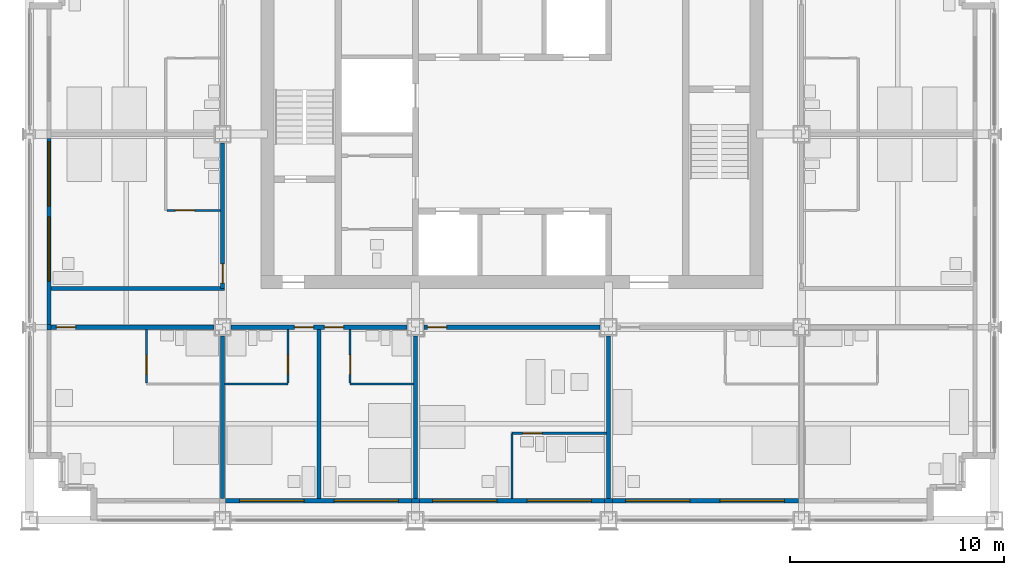
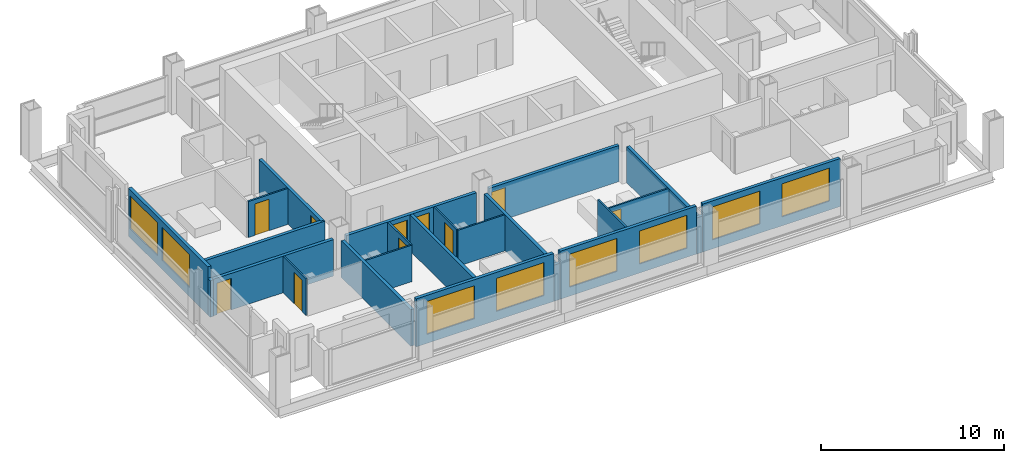
# One storey, part 7 of 13: 24 walls, 10 doors, 8 windows, 18 openings.
"""IFC4 building model written with IfcOpenShell, lengths in metres."""

from ifc_helpers import new_model, si_unit, direction, frame, frame_2d, origin, place, context, subcontext, project, spatial, rectangle, extrude, material, layer, layer_set, type_object, element, fill, save


model = new_model("IFC4")

# Units and contexts
model_context = context("Model", 3, precision=1e-05, world=origin(), true_north=direction((0.0, 1.0)))
body_context = subcontext(model_context, "Body", "Model", "MODEL_VIEW")
ifc_project = project(units=[si_unit("LENGTHUNIT", "METRE"), si_unit("AREAUNIT", "SQUARE_METRE"), si_unit("VOLUMEUNIT", "CUBIC_METRE"), si_unit("PLANEANGLEUNIT", "RADIAN"), si_unit("MASSUNIT", "GRAM", prefix="KILO")], contexts=[model_context])

# Site, building, storey
site_placement = place(None, origin())
site = spatial("IfcSite", under=ifc_project, at=site_placement, CompositionType="ELEMENT")
building_placement = place(site_placement, origin())
building = spatial("IfcBuilding", under=site, at=building_placement, Name="Loomwork Tower", CompositionType="ELEMENT")
storey_placement = place(building_placement, frame((0.0, 0.0, 191.0)))
storey = spatial("IfcBuildingStorey", under=building, at=storey_placement, Name="L52", CompositionType="ELEMENT", Elevation=191.0)

# Wall, opening, door
ifc_material_1 = material(Name="Gypsum board on steel studs, one-hour", Category="steel")
ifc_layer_1 = layer(ifc_material_1, 0.199951171875)
ifc_layer_set_1 = layer_set([ifc_layer_1], Name="Corridor wall 200")
wall_type_1 = type_object("IfcWallType", Name="Corridor wall 200", PredefinedType="PARTITIONING", material=ifc_layer_set_1)
wall_1_placement = place(storey_placement, frame((1.0, 9.0, 0.0), z_axis=(0.0, 0.0, 1.0), x_axis=(1.0, 0.0, 0.0)))
wall_1 = element("IfcWall", 1, at=wall_1_placement, inside=storey, type_object=wall_type_1, Name="South corridor wall 1", PredefinedType="PARTITIONING", context=body_context, shape_type="SweptSolid", body=[
    extrude(rectangle(XDim=7.60009765625, YDim=0.199951171875, at=frame_2d((3.800048828125, 0.0))), origin(), (0.0, 0.0, 1.0), 2.43798828125),
])
opening_1_placement = place(wall_1_placement, frame((0.25, 0.0, 0.0)))
opening_1 = element("IfcOpeningElement", 2, at=opening_1_placement, cuts=wall_1, Name="Opening D1", PredefinedType="OPENING", context=body_context, shape_type="SweptSolid", body=[
    extrude(rectangle(XDim=0.89990234375, YDim=2.10009765625, at=frame_2d((0.449951171875, 1.050048828125))), frame((0.0, 0.10986328125, 0.0), z_axis=(0.0, -1.0, 0.0), x_axis=(1.0, 0.0, 0.0)), (0.0, 0.0, 1.0), 0.219970703125),
])
ifc_material_2 = material(Name="Hollow metal door and frame")
door_type_1 = type_object("IfcDoorType", Name="Guest room entry door 900", OperationType="SINGLE_SWING_LEFT", PredefinedType="DOOR", material=ifc_material_2)
door_1_placement = place(opening_1_placement, frame((0.89990234375, 0.0, 0.0), z_axis=(0.0, 0.0, 1.0), x_axis=(-1.0, 0.0, 0.0)))
door_1 = element("IfcDoor", 3, at=door_1_placement, inside=storey, type_object=door_type_1, Name="Guest room entry door L52 1", OperationType="SINGLE_SWING_RIGHT", OverallHeight=2.10009765625, OverallWidth=0.89990234375, PredefinedType="DOOR", context=body_context, shape_type="SweptSolid", body=[
    extrude(rectangle(XDim=0.89990234375, YDim=2.10009765625, at=frame_2d((0.449951171875, 1.050048828125))), frame((0.0, 0.02490234375, 0.0), z_axis=(0.0, -1.0, 0.0), x_axis=(1.0, 0.0, 0.0)), (0.0, 0.0, 1.0), 0.050048828125),
])
fill(opening_1, door_1)

# Wall, openings, doors
wall_2_placement = place(storey_placement, frame((9.39990234375, 9.0, 0.0), z_axis=(0.0, 0.0, 1.0), x_axis=(1.0, 0.0, 0.0)))
wall_2 = element("IfcWall", 4, at=wall_2_placement, inside=storey, type_object=wall_type_1, Name="South corridor wall 2", PredefinedType="PARTITIONING", context=body_context, shape_type="SweptSolid", body=[
    extrude(rectangle(XDim=8.2001953125, YDim=0.199951171875, at=frame_2d((4.10009765625, 0.0))), origin(), (0.0, 0.0, 1.0), 2.405029296875),
])
opening_2_placement = place(wall_2_placement, frame((2.949951171875, 0.0, 0.0)))
opening_2 = element("IfcOpeningElement", 5, at=opening_2_placement, cuts=wall_2, Name="Opening D1", PredefinedType="OPENING", context=body_context, shape_type="SweptSolid", body=[
    extrude(rectangle(XDim=0.89990234375, YDim=2.10009765625, at=frame_2d((0.449951171875, 1.050048828125))), frame((0.0, 0.10986328125, 0.0), z_axis=(0.0, -1.0, 0.0), x_axis=(1.0, 0.0, 0.0)), (0.0, 0.0, 1.0), 0.219970703125),
])
opening_3_placement = place(wall_2_placement, frame((4.35009765625, 0.0, 0.0)))
opening_3 = element("IfcOpeningElement", 6, at=opening_3_placement, cuts=wall_2, Name="Opening D1", PredefinedType="OPENING", context=body_context, shape_type="SweptSolid", body=[
    extrude(rectangle(XDim=0.89990234375, YDim=2.10009765625, at=frame_2d((0.449951171875, 1.050048828125))), frame((0.0, 0.10986328125, 0.0), z_axis=(0.0, -1.0, 0.0), x_axis=(1.0, 0.0, 0.0)), (0.0, 0.0, 1.0), 0.219970703125),
])
door_2_placement = place(opening_2_placement, frame((0.89990234375, 0.0, 0.0), z_axis=(0.0, 0.0, 1.0), x_axis=(-1.0, 0.0, 0.0)))
door_2 = element("IfcDoor", 7, at=door_2_placement, inside=storey, type_object=door_type_1, Name="Guest room entry door L52 2", OperationType="SINGLE_SWING_LEFT", OverallHeight=2.10009765625, OverallWidth=0.89990234375, PredefinedType="DOOR", context=body_context, shape_type="SweptSolid", body=[
    extrude(rectangle(XDim=0.89990234375, YDim=2.10009765625, at=frame_2d((0.449951171875, 1.050048828125))), frame((0.0, 0.02490234375, 0.0), z_axis=(0.0, -1.0, 0.0), x_axis=(1.0, 0.0, 0.0)), (0.0, 0.0, 1.0), 0.050048828125),
])
fill(opening_2, door_2)
door_3_placement = place(opening_3_placement, frame((0.89990234375, 0.0, 0.0), z_axis=(0.0, 0.0, 1.0), x_axis=(-1.0, 0.0, 0.0)))
door_3 = element("IfcDoor", 8, at=door_3_placement, inside=storey, type_object=door_type_1, Name="Guest room entry door L52 3", OperationType="SINGLE_SWING_RIGHT", OverallHeight=2.10009765625, OverallWidth=0.89990234375, PredefinedType="DOOR", context=body_context, shape_type="SweptSolid", body=[
    extrude(rectangle(XDim=0.89990234375, YDim=2.10009765625, at=frame_2d((0.449951171875, 1.050048828125))), frame((0.0, 0.02490234375, 0.0), z_axis=(0.0, -1.0, 0.0), x_axis=(1.0, 0.0, 0.0)), (0.0, 0.0, 1.0), 0.050048828125),
])
fill(opening_3, door_3)

# Wall, opening, door
wall_3_placement = place(storey_placement, frame((18.39990234375, 9.0, 0.0), z_axis=(0.0, 0.0, 1.0), x_axis=(1.0, 0.0, 0.0)))
wall_3 = element("IfcWall", 9, at=wall_3_placement, inside=storey, type_object=wall_type_1, Name="South corridor wall 3", PredefinedType="PARTITIONING", context=body_context, shape_type="SweptSolid", body=[
    extrude(rectangle(XDim=8.2001953125, YDim=0.199951171875, at=frame_2d((4.10009765625, 0.0))), origin(), (0.0, 0.0, 1.0), 2.405029296875),
])
opening_4_placement = place(wall_3_placement, frame((0.14990234375, 0.0, 0.0)))
opening_4 = element("IfcOpeningElement", 10, at=opening_4_placement, cuts=wall_3, Name="Opening D1", PredefinedType="OPENING", context=body_context, shape_type="SweptSolid", body=[
    extrude(rectangle(XDim=0.89990234375, YDim=2.10009765625, at=frame_2d((0.449951171875, 1.050048828125))), frame((0.0, 0.10986328125, 0.0), z_axis=(0.0, -1.0, 0.0), x_axis=(1.0, 0.0, 0.0)), (0.0, 0.0, 1.0), 0.219970703125),
])
door_4_placement = place(opening_4_placement, frame((0.89990234375, 0.0, 0.0), z_axis=(0.0, 0.0, 1.0), x_axis=(-1.0, 0.0, 0.0)))
door_4 = element("IfcDoor", 11, at=door_4_placement, inside=storey, type_object=door_type_1, Name="Guest room entry door L52 4", OperationType="SINGLE_SWING_RIGHT", OverallHeight=2.10009765625, OverallWidth=0.89990234375, PredefinedType="DOOR", context=body_context, shape_type="SweptSolid", body=[
    extrude(rectangle(XDim=0.89990234375, YDim=2.10009765625, at=frame_2d((0.449951171875, 1.050048828125))), frame((0.0, 0.02490234375, 0.0), z_axis=(0.0, -1.0, 0.0), x_axis=(1.0, 0.0, 0.0)), (0.0, 0.0, 1.0), 0.050048828125),
])
fill(opening_4, door_4)

wall_4_placement = place(storey_placement, frame((9.0, 10.800048828125, 0.0), z_axis=(0.0, 0.0, 1.0), x_axis=(0.0, 1.0, 0.0)))
wall_4 = element("IfcWall", 12, at=wall_4_placement, inside=storey, type_object=wall_type_1, Name="West corridor wall 1", PredefinedType="PARTITIONING", context=body_context, shape_type="SweptSolid", body=[
    extrude(rectangle(XDim=6.800048828125, YDim=0.199951171875, at=frame_2d((3.39990234375, 0.0))), origin(), (0.0, 0.0, 1.0), 2.405029296875),
])
opening_5_placement = place(wall_4_placement, frame((0.25, 0.0, 0.0)))
opening_5 = element("IfcOpeningElement", 13, at=opening_5_placement, cuts=wall_4, Name="Opening D1", PredefinedType="OPENING", context=body_context, shape_type="SweptSolid", body=[
    extrude(rectangle(XDim=0.89990234375, YDim=2.10009765625, at=frame_2d((0.449951171875, 1.050048828125))), frame((0.0, 0.10986328125, 0.0), z_axis=(0.0, -1.0, 0.0), x_axis=(1.0, 0.0, 0.0)), (0.0, 0.0, 1.0), 0.219970703125),
])
door_5_placement = place(opening_5_placement, origin())
door_5 = element("IfcDoor", 14, at=door_5_placement, inside=storey, type_object=door_type_1, Name="Guest room entry door L52 7", OperationType="SINGLE_SWING_LEFT", OverallHeight=2.10009765625, OverallWidth=0.89990234375, PredefinedType="DOOR", context=body_context, shape_type="SweptSolid", body=[
    extrude(rectangle(XDim=0.89990234375, YDim=2.10009765625, at=frame_2d((0.449951171875, 1.050048828125))), frame((0.0, 0.02490234375, 0.0), z_axis=(0.0, -1.0, 0.0), x_axis=(1.0, 0.0, 0.0)), (0.0, 0.0, 1.0), 0.050048828125),
])
fill(opening_5, door_5)

# Wall
wall_5_placement = place(storey_placement, frame((1.0, 10.800048828125, 0.0), z_axis=(0.0, 0.0, 1.0), x_axis=(1.0, 0.0, 0.0)))
element("IfcWall", 15, at=wall_5_placement, inside=storey, type_object=wall_type_1, Name="West band end wall S", PredefinedType="PARTITIONING", context=body_context, shape_type="SweptSolid", body=[
    extrude(rectangle(XDim=8.10009765625, YDim=0.199951171875, at=frame_2d((4.050048828125, 0.0))), origin(), (0.0, 0.0, 1.0), 2.404052734375),
])

# Wall, opening, door
ifc_material_3 = material(Name="Cement board on steel studs", Category="steel")
ifc_layer_2 = layer(ifc_material_3, 0.10009765625)
ifc_layer_set_2 = layer_set([ifc_layer_2], Name="En-suite partition 100")
wall_type_2 = type_object("IfcWallType", Name="En-suite partition 100", PredefinedType="PARTITIONING", material=ifc_layer_set_2)
wall_6_placement = place(storey_placement, frame((5.449951171875, 8.89990234375, 0.0), z_axis=(0.0, 0.0, 1.0), x_axis=(0.0, -1.0, 0.0)))
wall_6 = element("IfcWall", 16, at=wall_6_placement, inside=storey, type_object=wall_type_2, Name="En-suite side wall L52 room 1", PredefinedType="PARTITIONING", context=body_context, shape_type="SweptSolid", body=[
    extrude(rectangle(XDim=2.5, YDim=0.10009765625, at=frame_2d((1.25, 0.0))), origin(), (0.0, 0.0, 1.0), 2.43798828125),
])
opening_6_placement = place(wall_6_placement, frame((1.199951171875, 0.0, 0.0)))
opening_6 = element("IfcOpeningElement", 17, at=opening_6_placement, cuts=wall_6, Name="Opening D3", PredefinedType="OPENING", context=body_context, shape_type="SweptSolid", body=[
    extrude(rectangle(XDim=0.89990234375, YDim=2.10009765625, at=frame_2d((0.449951171875, 1.050048828125))), frame((0.0, 0.06005859375, 0.0), z_axis=(0.0, -1.0, 0.0), x_axis=(1.0, 0.0, 0.0)), (0.0, 0.0, 1.0), 0.1201171875),
])
ifc_material_4 = material(Name="Hollow metal door and frame")
door_type_2 = type_object("IfcDoorType", Name="Accessible en-suite door 900", OperationType="SLIDING_TO_LEFT", PredefinedType="DOOR", material=ifc_material_4)
door_6_placement = place(opening_6_placement, origin())
door_6 = element("IfcDoor", 18, at=door_6_placement, inside=storey, type_object=door_type_2, Name="Accessible en-suite door room 1", OperationType="SLIDING_TO_LEFT", OverallHeight=2.10009765625, OverallWidth=0.89990234375, PredefinedType="DOOR", context=body_context, shape_type="SweptSolid", body=[
    extrude(rectangle(XDim=0.89990234375, YDim=2.10009765625, at=frame_2d((0.449951171875, 1.050048828125))), frame((0.0, 0.02490234375, 0.0), z_axis=(0.0, -1.0, 0.0), x_axis=(1.0, 0.0, 0.0)), (0.0, 0.0, 1.0), 0.050048828125),
])
fill(opening_6, door_6)

# Wall
wall_7_placement = place(storey_placement, frame((9.10009765625, 6.35009765625, 0.0), z_axis=(0.0, 0.0, 1.0), x_axis=(1.0, 0.0, 0.0)))
element("IfcWall", 19, at=wall_7_placement, inside=storey, type_object=wall_type_2, Name="En-suite wall L52 room 2", PredefinedType="PARTITIONING", context=body_context, shape_type="SweptSolid", body=[
    extrude(rectangle(XDim=2.949951171875, YDim=0.10009765625, at=frame_2d((1.47509765625, 0.0))), origin(), (0.0, 0.0, 1.0), 2.43798828125),
])

# Wall, opening, door
wall_8_placement = place(storey_placement, frame((12.050048828125, 8.89990234375, 0.0), z_axis=(0.0, 0.0, 1.0), x_axis=(0.0, -1.0, 0.0)))
wall_8 = element("IfcWall", 20, at=wall_8_placement, inside=storey, type_object=wall_type_2, Name="En-suite side wall L52 room 2", PredefinedType="PARTITIONING", context=body_context, shape_type="SweptSolid", body=[
    extrude(rectangle(XDim=2.5, YDim=0.10009765625, at=frame_2d((1.25, 0.0))), origin(), (0.0, 0.0, 1.0), 2.404052734375),
])
opening_7_placement = place(wall_8_placement, frame((1.199951171875, 0.0, 0.0)))
opening_7 = element("IfcOpeningElement", 21, at=opening_7_placement, cuts=wall_8, Name="Opening D2", PredefinedType="OPENING", context=body_context, shape_type="SweptSolid", body=[
    extrude(rectangle(XDim=0.89990234375, YDim=2.10009765625, at=frame_2d((0.449951171875, 1.050048828125))), frame((0.0, 0.06005859375, 0.0), z_axis=(0.0, -1.0, 0.0), x_axis=(1.0, 0.0, 0.0)), (0.0, 0.0, 1.0), 0.1201171875),
])
ifc_material_5 = material(Name="Hollow metal door and frame")
door_type_3 = type_object("IfcDoorType", Name="En-suite door 900", OperationType="SINGLE_SWING_LEFT", PredefinedType="DOOR", material=ifc_material_5)
door_7_placement = place(opening_7_placement, frame((0.89990234375, 0.0, 0.0), z_axis=(0.0, 0.0, 1.0), x_axis=(-1.0, 0.0, 0.0)))
door_7 = element("IfcDoor", 22, at=door_7_placement, inside=storey, type_object=door_type_3, Name="En-suite door room 2", OperationType="SINGLE_SWING_LEFT", OverallHeight=2.10009765625, OverallWidth=0.89990234375, PredefinedType="DOOR", context=body_context, shape_type="SweptSolid", body=[
    extrude(rectangle(XDim=0.89990234375, YDim=2.10009765625, at=frame_2d((0.449951171875, 1.050048828125))), frame((0.0, 0.02490234375, 0.0), z_axis=(0.0, -1.0, 0.0), x_axis=(1.0, 0.0, 0.0)), (0.0, 0.0, 1.0), 0.050048828125),
])
fill(opening_7, door_7)

# Wall
wall_9_placement = place(storey_placement, frame((14.949951171875, 6.35009765625, 0.0), z_axis=(0.0, 0.0, 1.0), x_axis=(1.0, 0.0, 0.0)))
element("IfcWall", 23, at=wall_9_placement, inside=storey, type_object=wall_type_2, Name="En-suite wall L52 room 3", PredefinedType="PARTITIONING", context=body_context, shape_type="SweptSolid", body=[
    extrude(rectangle(XDim=2.949951171875, YDim=0.10009765625, at=frame_2d((1.47509765625, 0.0))), origin(), (0.0, 0.0, 1.0), 2.404052734375),
])

# Wall, opening, door
wall_10_placement = place(storey_placement, frame((14.949951171875, 8.89990234375, 0.0), z_axis=(0.0, 0.0, 1.0), x_axis=(0.0, -1.0, 0.0)))
wall_10 = element("IfcWall", 24, at=wall_10_placement, inside=storey, type_object=wall_type_2, Name="En-suite side wall L52 room 3", PredefinedType="PARTITIONING", context=body_context, shape_type="SweptSolid", body=[
    extrude(rectangle(XDim=2.5, YDim=0.10009765625, at=frame_2d((1.25, 0.0))), origin(), (0.0, 0.0, 1.0), 2.404052734375),
])
opening_8_placement = place(wall_10_placement, frame((1.199951171875, 0.0, 0.0)))
opening_8 = element("IfcOpeningElement", 25, at=opening_8_placement, cuts=wall_10, Name="Opening D2", PredefinedType="OPENING", context=body_context, shape_type="SweptSolid", body=[
    extrude(rectangle(XDim=0.89990234375, YDim=2.10009765625, at=frame_2d((0.449951171875, 1.050048828125))), frame((0.0, 0.06005859375, 0.0), z_axis=(0.0, -1.0, 0.0), x_axis=(1.0, 0.0, 0.0)), (0.0, 0.0, 1.0), 0.1201171875),
])
door_8_placement = place(opening_8_placement, origin())
door_8 = element("IfcDoor", 26, at=door_8_placement, inside=storey, type_object=door_type_3, Name="En-suite door room 3", OperationType="SINGLE_SWING_RIGHT", OverallHeight=2.10009765625, OverallWidth=0.89990234375, PredefinedType="DOOR", context=body_context, shape_type="SweptSolid", body=[
    extrude(rectangle(XDim=0.89990234375, YDim=2.10009765625, at=frame_2d((0.449951171875, 1.050048828125))), frame((0.0, 0.02490234375, 0.0), z_axis=(0.0, -1.0, 0.0), x_axis=(1.0, 0.0, 0.0)), (0.0, 0.0, 1.0), 0.050048828125),
])
fill(opening_8, door_8)

wall_11_placement = place(storey_placement, frame((22.5, 4.050048828125, 0.0), z_axis=(0.0, 0.0, 1.0), x_axis=(1.0, 0.0, 0.0)))
wall_11 = element("IfcWall", 27, at=wall_11_placement, inside=storey, type_object=wall_type_2, Name="Spa bathroom wall L52 room 4", PredefinedType="PARTITIONING", context=body_context, shape_type="SweptSolid", body=[
    extrude(rectangle(XDim=4.39990234375, YDim=0.10009765625, at=frame_2d((2.199951171875, 0.0))), origin(), (0.0, 0.0, 1.0), 2.404052734375),
])
opening_9_placement = place(wall_11_placement, frame((0.5, 0.0, 0.0)))
opening_9 = element("IfcOpeningElement", 28, at=opening_9_placement, cuts=wall_11, Name="Opening D2", PredefinedType="OPENING", context=body_context, shape_type="SweptSolid", body=[
    extrude(rectangle(XDim=0.89990234375, YDim=2.10009765625, at=frame_2d((0.449951171875, 1.050048828125))), frame((0.0, 0.06005859375, 0.0), z_axis=(0.0, -1.0, 0.0), x_axis=(1.0, 0.0, 0.0)), (0.0, 0.0, 1.0), 0.1201171875),
])
door_9_placement = place(opening_9_placement, frame((0.89990234375, 0.0, 0.0), z_axis=(0.0, 0.0, 1.0), x_axis=(-1.0, 0.0, 0.0)))
door_9 = element("IfcDoor", 29, at=door_9_placement, inside=storey, type_object=door_type_3, Name="Spa bathroom door room 4", OperationType="SINGLE_SWING_RIGHT", OverallHeight=2.10009765625, OverallWidth=0.89990234375, PredefinedType="DOOR", context=body_context, shape_type="SweptSolid", body=[
    extrude(rectangle(XDim=0.89990234375, YDim=2.10009765625, at=frame_2d((0.449951171875, 1.050048828125))), frame((0.0, 0.02490234375, 0.0), z_axis=(0.0, -1.0, 0.0), x_axis=(1.0, 0.0, 0.0)), (0.0, 0.0, 1.0), 0.050048828125),
])
fill(opening_9, door_9)

# Wall
wall_12_placement = place(storey_placement, frame((22.5, 4.050048828125, 0.0), z_axis=(0.0, 0.0, 1.0), x_axis=(0.0, -1.0, 0.0)))
element("IfcWall", 30, at=wall_12_placement, inside=storey, type_object=wall_type_2, Name="Spa bathroom side wall L52 room 4", PredefinedType="PARTITIONING", context=body_context, shape_type="SweptSolid", body=[
    extrude(rectangle(XDim=3.050048828125, YDim=0.10009765625, at=frame_2d((1.52490234375, 0.0))), origin(), (0.0, 0.0, 1.0), 3.199951171875),
])

# Wall, opening, door
wall_13_placement = place(storey_placement, frame((8.89990234375, 14.449951171875, 0.0), z_axis=(0.0, 0.0, 1.0), x_axis=(-1.0, 0.0, 0.0)))
wall_13 = element("IfcWall", 31, at=wall_13_placement, inside=storey, type_object=wall_type_2, Name="En-suite side wall L52 room 7", PredefinedType="PARTITIONING", context=body_context, shape_type="SweptSolid", body=[
    extrude(rectangle(XDim=2.5, YDim=0.10009765625, at=frame_2d((1.25, 0.0))), origin(), (0.0, 0.0, 1.0), 2.404052734375),
])
opening_10_placement = place(wall_13_placement, frame((1.199951171875, 0.0, 0.0)))
opening_10 = element("IfcOpeningElement", 32, at=opening_10_placement, cuts=wall_13, Name="Opening D2", PredefinedType="OPENING", context=body_context, shape_type="SweptSolid", body=[
    extrude(rectangle(XDim=0.89990234375, YDim=2.10009765625, at=frame_2d((0.449951171875, 1.050048828125))), frame((0.0, 0.06005859375, 0.0), z_axis=(0.0, -1.0, 0.0), x_axis=(1.0, 0.0, 0.0)), (0.0, 0.0, 1.0), 0.1201171875),
])
door_10_placement = place(opening_10_placement, frame((0.89990234375, 0.0, 0.0), z_axis=(0.0, 0.0, 1.0), x_axis=(-1.0, 0.0, 0.0)))
door_10 = element("IfcDoor", 33, at=door_10_placement, inside=storey, type_object=door_type_3, Name="En-suite door room 7", OperationType="SINGLE_SWING_LEFT", OverallHeight=2.10009765625, OverallWidth=0.89990234375, PredefinedType="DOOR", context=body_context, shape_type="SweptSolid", body=[
    extrude(rectangle(XDim=0.89990234375, YDim=2.10009765625, at=frame_2d((0.449951171875, 1.050048828125))), frame((0.0, 0.02490234375, 0.0), z_axis=(0.0, -1.0, 0.0), x_axis=(1.0, 0.0, 0.0)), (0.0, 0.0, 1.0), 0.050048828125),
])
fill(opening_10, door_10)

# Walls
ifc_material_6 = material(Name="Gypsum board on steel studs, acoustic", Category="steel")
ifc_layer_3 = layer(ifc_material_6, 0.199951171875)
ifc_layer_set_3 = layer_set([ifc_layer_3], Name="Guest room party wall 200")
wall_type_3 = type_object("IfcWallType", Name="Guest room party wall 200", PredefinedType="PARTITIONING", material=ifc_layer_set_3)
wall_14_placement = place(storey_placement, frame((9.0, 8.60009765625, 0.0), z_axis=(0.0, 0.0, 1.0), x_axis=(0.0, -1.0, 0.0)))
element("IfcWall", 34, at=wall_14_placement, inside=storey, type_object=wall_type_3, Name="Guest room party wall S 9", PredefinedType="PARTITIONING", context=body_context, shape_type="SweptSolid", body=[
    extrude(rectangle(XDim=7.60009765625, YDim=0.199951171875, at=frame_2d((3.800048828125, 0.0))), origin(), (0.0, 0.0, 1.0), 2.43798828125),
])
wall_15_placement = place(storey_placement, frame((13.5, 8.89990234375, 0.0), z_axis=(0.0, 0.0, 1.0), x_axis=(0.0, -1.0, 0.0)))
element("IfcWall", 35, at=wall_15_placement, inside=storey, type_object=wall_type_3, Name="Guest room party wall S 13.5", PredefinedType="PARTITIONING", context=body_context, shape_type="SweptSolid", body=[
    extrude(rectangle(XDim=7.89990234375, YDim=0.199951171875, at=frame_2d((3.949951171875, 0.0))), origin(), (0.0, 0.0, 1.0), 2.404052734375),
])
for number, where, z_axis, x_axis, name in (
    (36, (18.0, 8.60009765625, 0.0), (0.0, 0.0, 1.0), (0.0, -1.0, 0.0), "Guest room party wall S 18"),
    (37, (27.0, 8.60009765625, 0.0), (0.0, 0.0, 1.0), (0.0, -1.0, 0.0), "Guest room party wall S 27"),
):
    element("IfcWall", number, at=place(storey_placement, frame(where, z_axis=z_axis, x_axis=x_axis)), inside=storey, type_object=wall_type_3, Name=name, PredefinedType="PARTITIONING", context=body_context, shape_type="SweptSolid", body=[
        extrude(rectangle(XDim=7.60009765625, YDim=0.199951171875, at=frame_2d((3.800048828125, 0.0))), origin(), (0.0, 0.0, 1.0), 2.405029296875),
    ])

# Wall, openings, windows
ifc_material_7 = material(Name="Insulated steel stud wall with gypsum lining", Category="steel")
ifc_layer_4 = layer(ifc_material_7, 0.199951171875)
ifc_layer_set_4 = layer_set([ifc_layer_4], Name="Inner skin wall 200")
wall_type_4 = type_object("IfcWallType", Name="Inner skin wall 200", PredefinedType="SOLIDWALL", material=ifc_layer_set_4)
wall_16_placement = place(storey_placement, frame((9.13525390625, 0.89990234375, 0.0), z_axis=(0.0, 0.0, 1.0), x_axis=(1.0, 0.0, 0.0)))
wall_16 = element("IfcWall", 38, at=wall_16_placement, inside=storey, type_object=wall_type_4, Name="Inner skin wall S bay 3", PredefinedType="SOLIDWALL", context=body_context, shape_type="SweptSolid", body=[
    extrude(rectangle(XDim=8.6708984375, YDim=0.199951171875, at=frame_2d((4.33544921875, 0.0))), origin(), (0.0, 0.0, 1.0), 3.199951171875),
])
opening_11_placement = place(wall_16_placement, frame((0.664794921875, 0.0, 0.60009765625)))
opening_11 = element("IfcOpeningElement", 39, at=opening_11_placement, cuts=wall_16, Name="Opening CH1", PredefinedType="OPENING", context=body_context, shape_type="SweptSolid", body=[
    extrude(rectangle(XDim=3.0, YDim=2.199951171875, at=frame_2d((1.5, 1.10009765625))), frame((0.0, 0.10986328125, 0.0), z_axis=(0.0, -1.0, 0.0), x_axis=(1.0, 0.0, 0.0)), (0.0, 0.0, 1.0), 0.219970703125),
])
opening_12_placement = place(wall_16_placement, frame((5.064697265625, 0.0, 0.60009765625)))
opening_12 = element("IfcOpeningElement", 40, at=opening_12_placement, cuts=wall_16, Name="Opening CH1", PredefinedType="OPENING", context=body_context, shape_type="SweptSolid", body=[
    extrude(rectangle(XDim=3.0, YDim=2.199951171875, at=frame_2d((1.5, 1.10009765625))), frame((0.0, 0.10986328125, 0.0), z_axis=(0.0, -1.0, 0.0), x_axis=(1.0, 0.0, 0.0)), (0.0, 0.0, 1.0), 0.219970703125),
])
ifc_material_8 = material(Name="Aluminium frame with clear insulated glass", Category="aluminium")
window_type = type_object("IfcWindowType", Name="Chicago window 3000", PartitioningType="TRIPLE_PANEL_VERTICAL", PredefinedType="WINDOW", material=ifc_material_8)
window_1_placement = place(opening_11_placement, origin())
window_1 = element("IfcWindow", 41, at=window_1_placement, inside=storey, type_object=window_type, Name="Chicago window L52 bay 2", OverallHeight=2.199951171875, OverallWidth=3.0, PartitioningType="TRIPLE_PANEL_VERTICAL", PredefinedType="WINDOW", context=body_context, shape_type="SweptSolid", body=[
    extrude(rectangle(XDim=3.0, YDim=2.199951171875, at=frame_2d((1.5, 1.10009765625))), frame((0.0, 0.030029296875, 0.0), z_axis=(0.0, -1.0, 0.0), x_axis=(1.0, 0.0, 0.0)), (0.0, 0.0, 1.0), 0.06005859375),
])
fill(opening_11, window_1)
window_2_placement = place(opening_12_placement, origin())
window_2 = element("IfcWindow", 42, at=window_2_placement, inside=storey, type_object=window_type, Name="Chicago window L52 bay 2", OverallHeight=2.199951171875, OverallWidth=3.0, PartitioningType="TRIPLE_PANEL_VERTICAL", PredefinedType="WINDOW", context=body_context, shape_type="SweptSolid", body=[
    extrude(rectangle(XDim=3.0, YDim=2.199951171875, at=frame_2d((1.5, 1.10009765625))), frame((0.0, 0.030029296875, 0.0), z_axis=(0.0, -1.0, 0.0), x_axis=(1.0, 0.0, 0.0)), (0.0, 0.0, 1.0), 0.06005859375),
])
fill(opening_12, window_2)

# Wall
wall_17_placement = place(storey_placement, frame((17.80615234375, 0.89990234375, 0.0), z_axis=(0.0, 0.0, 1.0), x_axis=(1.0, 0.0, 0.0)))
element("IfcWall", 43, at=wall_17_placement, inside=storey, type_object=wall_type_4, Name="Inner skin wall S bay 4", PredefinedType="SOLIDWALL", context=body_context, shape_type="SweptSolid", body=[
    extrude(rectangle(XDim=0.3876953125, YDim=0.199951171875, at=frame_2d((0.19384765625, 0.0))), origin(), (0.0, 0.0, 1.0), 2.404052734375),
])

# Wall, openings, windows
wall_18_placement = place(storey_placement, frame((18.19384765625, 0.89990234375, 0.0), z_axis=(0.0, 0.0, 1.0), x_axis=(1.0, 0.0, 0.0)))
wall_18 = element("IfcWall", 44, at=wall_18_placement, inside=storey, type_object=wall_type_4, Name="Inner skin wall S bay 5", PredefinedType="SOLIDWALL", context=body_context, shape_type="SweptSolid", body=[
    extrude(rectangle(XDim=8.6123046875, YDim=0.199951171875, at=frame_2d((4.30615234375, 0.0))), origin(), (0.0, 0.0, 1.0), 3.199951171875),
])
opening_13_placement = place(wall_18_placement, frame((0.606201171875, 0.0, 0.60009765625)))
opening_13 = element("IfcOpeningElement", 45, at=opening_13_placement, cuts=wall_18, Name="Opening CH1", PredefinedType="OPENING", context=body_context, shape_type="SweptSolid", body=[
    extrude(rectangle(XDim=3.0, YDim=2.199951171875, at=frame_2d((1.5, 1.10009765625))), frame((0.0, 0.10986328125, 0.0), z_axis=(0.0, -1.0, 0.0), x_axis=(1.0, 0.0, 0.0)), (0.0, 0.0, 1.0), 0.219970703125),
])
opening_14_placement = place(wall_18_placement, frame((5.006103515625, 0.0, 0.60009765625)))
opening_14 = element("IfcOpeningElement", 46, at=opening_14_placement, cuts=wall_18, Name="Opening CH1", PredefinedType="OPENING", context=body_context, shape_type="SweptSolid", body=[
    extrude(rectangle(XDim=3.0, YDim=2.199951171875, at=frame_2d((1.5, 1.10009765625))), frame((0.0, 0.10986328125, 0.0), z_axis=(0.0, -1.0, 0.0), x_axis=(1.0, 0.0, 0.0)), (0.0, 0.0, 1.0), 0.219970703125),
])
window_3_placement = place(opening_13_placement, origin())
window_3 = element("IfcWindow", 47, at=window_3_placement, inside=storey, type_object=window_type, Name="Chicago window L52 bay 3", OverallHeight=2.199951171875, OverallWidth=3.0, PartitioningType="TRIPLE_PANEL_VERTICAL", PredefinedType="WINDOW", context=body_context, shape_type="SweptSolid", body=[
    extrude(rectangle(XDim=3.0, YDim=2.199951171875, at=frame_2d((1.5, 1.10009765625))), frame((0.0, 0.030029296875, 0.0), z_axis=(0.0, -1.0, 0.0), x_axis=(1.0, 0.0, 0.0)), (0.0, 0.0, 1.0), 0.06005859375),
])
fill(opening_13, window_3)
window_4_placement = place(opening_14_placement, origin())
window_4 = element("IfcWindow", 48, at=window_4_placement, inside=storey, type_object=window_type, Name="Chicago window L52 bay 3", OverallHeight=2.199951171875, OverallWidth=3.0, PartitioningType="TRIPLE_PANEL_VERTICAL", PredefinedType="WINDOW", context=body_context, shape_type="SweptSolid", body=[
    extrude(rectangle(XDim=3.0, YDim=2.199951171875, at=frame_2d((1.5, 1.10009765625))), frame((0.0, 0.030029296875, 0.0), z_axis=(0.0, -1.0, 0.0), x_axis=(1.0, 0.0, 0.0)), (0.0, 0.0, 1.0), 0.06005859375),
])
fill(opening_14, window_4)

# Wall
wall_19_placement = place(storey_placement, frame((26.80615234375, 0.89990234375, 0.0), z_axis=(0.0, 0.0, 1.0), x_axis=(1.0, 0.0, 0.0)))
element("IfcWall", 49, at=wall_19_placement, inside=storey, type_object=wall_type_4, Name="Inner skin wall S bay 6", PredefinedType="SOLIDWALL", context=body_context, shape_type="SweptSolid", body=[
    extrude(rectangle(XDim=0.3876953125, YDim=0.199951171875, at=frame_2d((0.19384765625, 0.0))), origin(), (0.0, 0.0, 1.0), 2.404052734375),
])

# Wall, openings, windows
wall_20_placement = place(storey_placement, frame((27.19384765625, 0.89990234375, 0.0), z_axis=(0.0, 0.0, 1.0), x_axis=(1.0, 0.0, 0.0)))
wall_20 = element("IfcWall", 50, at=wall_20_placement, inside=storey, type_object=wall_type_4, Name="Inner skin wall S bay 7", PredefinedType="SOLIDWALL", context=body_context, shape_type="SweptSolid", body=[
    extrude(rectangle(XDim=8.670654296875, YDim=0.199951171875, at=frame_2d((4.33544921875, 0.0))), origin(), (0.0, 0.0, 1.0), 3.199951171875),
])
opening_15_placement = place(wall_20_placement, frame((0.606201171875, 0.0, 0.60009765625)))
opening_15 = element("IfcOpeningElement", 51, at=opening_15_placement, cuts=wall_20, Name="Opening CH1", PredefinedType="OPENING", context=body_context, shape_type="SweptSolid", body=[
    extrude(rectangle(XDim=3.0, YDim=2.199951171875, at=frame_2d((1.5, 1.10009765625))), frame((0.0, 0.10986328125, 0.0), z_axis=(0.0, -1.0, 0.0), x_axis=(1.0, 0.0, 0.0)), (0.0, 0.0, 1.0), 0.219970703125),
])
opening_16_placement = place(wall_20_placement, frame((5.006103515625, 0.0, 0.60009765625)))
opening_16 = element("IfcOpeningElement", 52, at=opening_16_placement, cuts=wall_20, Name="Opening CH1", PredefinedType="OPENING", context=body_context, shape_type="SweptSolid", body=[
    extrude(rectangle(XDim=3.0, YDim=2.199951171875, at=frame_2d((1.5, 1.10009765625))), frame((0.0, 0.10986328125, 0.0), z_axis=(0.0, -1.0, 0.0), x_axis=(1.0, 0.0, 0.0)), (0.0, 0.0, 1.0), 0.219970703125),
])
window_5_placement = place(opening_15_placement, origin())
window_5 = element("IfcWindow", 53, at=window_5_placement, inside=storey, type_object=window_type, Name="Chicago window L52 bay 4", OverallHeight=2.199951171875, OverallWidth=3.0, PartitioningType="TRIPLE_PANEL_VERTICAL", PredefinedType="WINDOW", context=body_context, shape_type="SweptSolid", body=[
    extrude(rectangle(XDim=3.0, YDim=2.199951171875, at=frame_2d((1.5, 1.10009765625))), frame((0.0, 0.030029296875, 0.0), z_axis=(0.0, -1.0, 0.0), x_axis=(1.0, 0.0, 0.0)), (0.0, 0.0, 1.0), 0.06005859375),
])
fill(opening_15, window_5)
window_6_placement = place(opening_16_placement, origin())
window_6 = element("IfcWindow", 54, at=window_6_placement, inside=storey, type_object=window_type, Name="Chicago window L52 bay 4", OverallHeight=2.199951171875, OverallWidth=3.0, PartitioningType="TRIPLE_PANEL_VERTICAL", PredefinedType="WINDOW", context=body_context, shape_type="SweptSolid", body=[
    extrude(rectangle(XDim=3.0, YDim=2.199951171875, at=frame_2d((1.5, 1.10009765625))), frame((0.0, 0.030029296875, 0.0), z_axis=(0.0, -1.0, 0.0), x_axis=(1.0, 0.0, 0.0)), (0.0, 0.0, 1.0), 0.06005859375),
])
fill(opening_16, window_6)

# Wall
wall_21_placement = place(storey_placement, frame((0.89990234375, 8.86474609375, 0.0), z_axis=(0.0, 0.0, 1.0), x_axis=(0.0, 1.0, 0.0)))
element("IfcWall", 55, at=wall_21_placement, inside=storey, type_object=wall_type_4, Name="Inner skin wall W bay 4", PredefinedType="SOLIDWALL", context=body_context, shape_type="SweptSolid", body=[
    extrude(rectangle(XDim=0.2705078125, YDim=0.199951171875, at=frame_2d((0.13525390625, 0.0))), origin(), (0.0, 0.0, 1.0), 2.43798828125),
])

# Wall, openings, windows
wall_22_placement = place(storey_placement, frame((0.89990234375, 9.13525390625, 0.0), z_axis=(0.0, 0.0, 1.0), x_axis=(0.0, 1.0, 0.0)))
wall_22 = element("IfcWall", 56, at=wall_22_placement, inside=storey, type_object=wall_type_4, Name="Inner skin wall W bay 5", PredefinedType="SOLIDWALL", context=body_context, shape_type="SweptSolid", body=[
    extrude(rectangle(XDim=8.6708984375, YDim=0.199951171875, at=frame_2d((4.33544921875, 0.0))), origin(), (0.0, 0.0, 1.0), 3.199951171875),
])
opening_17_placement = place(wall_22_placement, frame((2.0146484375, 0.0, 0.60009765625)))
opening_17 = element("IfcOpeningElement", 57, at=opening_17_placement, cuts=wall_22, Name="Opening CH1", PredefinedType="OPENING", context=body_context, shape_type="SweptSolid", body=[
    extrude(rectangle(XDim=3.0, YDim=2.199951171875, at=frame_2d((1.5, 1.10009765625))), frame((0.0, 0.10986328125, 0.0), z_axis=(0.0, -1.0, 0.0), x_axis=(1.0, 0.0, 0.0)), (0.0, 0.0, 1.0), 0.219970703125),
])
opening_18_placement = place(wall_22_placement, frame((5.5146484375, 0.0, 0.60009765625)))
opening_18 = element("IfcOpeningElement", 58, at=opening_18_placement, cuts=wall_22, Name="Opening CH1", PredefinedType="OPENING", context=body_context, shape_type="SweptSolid", body=[
    extrude(rectangle(XDim=3.0, YDim=2.199951171875, at=frame_2d((1.5, 1.10009765625))), frame((0.0, 0.10986328125, 0.0), z_axis=(0.0, -1.0, 0.0), x_axis=(1.0, 0.0, 0.0)), (0.0, 0.0, 1.0), 0.219970703125),
])
window_7_placement = place(opening_17_placement, origin())
window_7 = element("IfcWindow", 59, at=window_7_placement, inside=storey, type_object=window_type, Name="Chicago window L52 bay 6", OverallHeight=2.199951171875, OverallWidth=3.0, PartitioningType="TRIPLE_PANEL_VERTICAL", PredefinedType="WINDOW", context=body_context, shape_type="SweptSolid", body=[
    extrude(rectangle(XDim=3.0, YDim=2.199951171875, at=frame_2d((1.5, 1.10009765625))), frame((0.0, 0.030029296875, 0.0), z_axis=(0.0, -1.0, 0.0), x_axis=(1.0, 0.0, 0.0)), (0.0, 0.0, 1.0), 0.06005859375),
])
fill(opening_17, window_7)
window_8_placement = place(opening_18_placement, origin())
window_8 = element("IfcWindow", 60, at=window_8_placement, inside=storey, type_object=window_type, Name="Chicago window L52 bay 6", OverallHeight=2.199951171875, OverallWidth=3.0, PartitioningType="TRIPLE_PANEL_VERTICAL", PredefinedType="WINDOW", context=body_context, shape_type="SweptSolid", body=[
    extrude(rectangle(XDim=3.0, YDim=2.199951171875, at=frame_2d((1.5, 1.10009765625))), frame((0.0, 0.030029296875, 0.0), z_axis=(0.0, -1.0, 0.0), x_axis=(1.0, 0.0, 0.0)), (0.0, 0.0, 1.0), 0.06005859375),
])
fill(opening_18, window_8)

save(model, "model.ifc")
